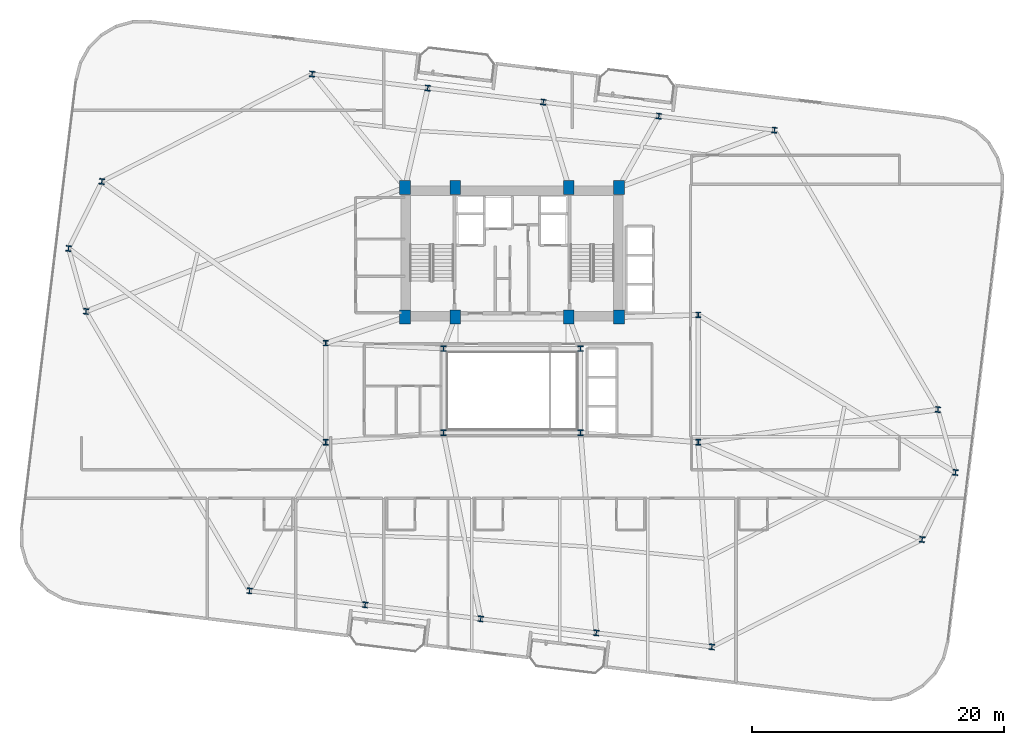
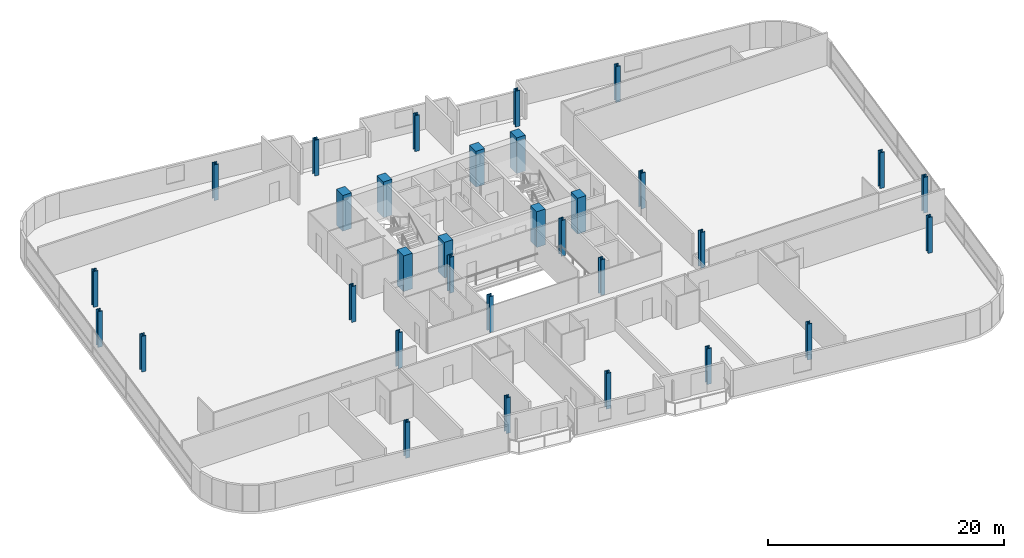
# One storey, part 1 of 26: 32 columns.
"""IFC4 building model written with IfcOpenShell, lengths in metres."""

from ifc_helpers import new_model, si_unit, direction, frame, origin, origin_2d, place, context, subcontext, project, spatial, rectangle, i_section, extrude, material, material_profile, profile_set, type_object, element, save


model = new_model("IFC4")

# Units and contexts
model_context = context("Model", 3, precision=1e-05, world=origin(), true_north=direction((0.0, 1.0)))
body_context = subcontext(model_context, "Body", "Model", "MODEL_VIEW")
ifc_project = project(units=[si_unit("LENGTHUNIT", "METRE"), si_unit("AREAUNIT", "SQUARE_METRE"), si_unit("VOLUMEUNIT", "CUBIC_METRE"), si_unit("PLANEANGLEUNIT", "RADIAN"), si_unit("MASSUNIT", "GRAM", prefix="KILO")], contexts=[model_context])

# Site, building, storey
site_placement = place(None, origin())
site = spatial("IfcSite", under=ifc_project, at=site_placement, CompositionType="ELEMENT")
building_placement = place(site_placement, origin())
building = spatial("IfcBuilding", under=site, at=building_placement, Name="Varnelok Gate Tower", CompositionType="ELEMENT")
storey_placement = place(building_placement, frame((0.0, 0.0, 158.699951171875)))
storey = spatial("IfcBuildingStorey", under=building, at=storey_placement, Name="L40", CompositionType="ELEMENT", Elevation=158.699951171875)

# Columns
ifc_material_1 = material(Name="Concrete C60/75", Category="concrete")
ifc_material_profile_1 = material_profile(ifc_material_1, rectangle(XDim=0.85009765625, YDim=1.10009765625, at=origin_2d()), Name="RC1100X850")
ifc_profile_set_1 = profile_set([ifc_material_profile_1], Name="Concrete C60/75")
column_type_1 = type_object("IfcColumnType", Name="COL-RC1100X850", PredefinedType="COLUMN", material=ifc_profile_set_1)
for number, where, z_axis, x_axis, name in (
    (1, (30.699951171875, 28.75, 0.0), (0.0, 0.0, 1.0), (1.0, 0.0, 0.0), "L40 Core Spine Column SC1"),
    (2, (34.679931640625, 28.75, 0.0), (0.0, 0.0, 1.0), (1.0, 0.0, 0.0), "L40 Core Spine Column SC2"),
    (3, (43.719970703125, 28.75, 0.0), (0.0, 0.0, 1.0), (1.0, 0.0, 0.0), "L40 Core Spine Column SC3"),
    (4, (47.699951171875, 28.75, 0.0), (0.0, 0.0, 1.0), (1.0, 0.0, 0.0), "L40 Core Spine Column SC4"),
    (5, (30.699951171875, 39.050048828125, 0.0), (0.0, 0.0, 1.0), (1.0, 0.0, 0.0), "L40 Core Spine Column SC5"),
    (6, (34.679931640625, 39.050048828125, 0.0), (0.0, 0.0, 1.0), (1.0, 0.0, 0.0), "L40 Core Spine Column SC6"),
    (7, (43.719970703125, 39.050048828125, 0.0), (0.0, 0.0, 1.0), (1.0, 0.0, 0.0), "L40 Core Spine Column SC7"),
    (8, (47.699951171875, 39.050048828125, 0.0), (0.0, 0.0, 1.0), (1.0, 0.0, 0.0), "L40 Core Spine Column SC8"),
):
    element("IfcColumn", number, at=place(storey_placement, frame(where, z_axis=z_axis, x_axis=x_axis)), inside=storey, type_object=column_type_1, Name=name, PredefinedType="COLUMN", context=body_context, shape_type="SweptSolid", body=[
        extrude(rectangle(XDim=0.85009765625, YDim=1.10009765625, at=origin_2d()), origin(), (0.0, 0.0, 1.0), 3.699951171875),
    ])
ifc_material_2 = material(Name="Structural Steel ASTM A992 Grade 50", Category="steel")
ifc_material_profile_2 = material_profile(ifc_material_2, i_section(OverallWidth=0.41796875, OverallDepth=0.455078125, WebThickness=0.0419921875, FlangeThickness=0.067626953125, FilletRadius=0.02490234375, at=origin_2d()), Name="W14X370")
ifc_profile_set_2 = profile_set([ifc_material_profile_2], Name="Structural Steel ASTM A992 Grade 50")
column_type_2 = type_object("IfcColumnType", Name="COL-W14X370", PredefinedType="COLUMN", material=ifc_profile_set_2)
for number, where, z_axis, x_axis, name in (
    (9, (33.75, 19.550048828125, 0.0), (0.0, 0.0, 1.0), (1.0, 0.0, 0.0), "L40 Atrium Spine Column AC1"),
    (10, (44.64990234375, 19.550048828125, 0.0), (0.0, 0.0, 1.0), (1.0, 0.0, 0.0), "L40 Atrium Spine Column AC2"),
    (11, (33.75, 26.25, 0.0), (0.0, 0.0, 1.0), (1.0, 0.0, 0.0), "L40 Atrium Spine Column AC3"),
    (12, (44.64990234375, 26.25, 0.0), (0.0, 0.0, 1.0), (1.0, 0.0, 0.0), "L40 Atrium Spine Column AC4"),
    (13, (24.39990234375, 18.800048828125, 0.0), (0.0, 0.0, 1.0), (1.0, 0.0, 0.0), "L40 Wing Spine Column WS1"),
    (14, (24.39990234375, 26.679931640625, 0.0), (0.0, 0.0, 1.0), (1.0, 0.0, 0.0), "L40 Wing Spine Column WS2"),
    (15, (54.0, 18.800048828125, 0.0), (0.0, 0.0, 1.0), (1.0, 0.0, 0.0), "L40 Wing Spine Column ES1"),
    (16, (54.0, 28.919921875, 0.0), (0.0, 0.0, 1.0), (1.0, 0.0, 0.0), "L40 Wing Spine Column ES2"),
    (17, (18.345703125, 6.99658203125, 0.0), (0.0, 0.0, 1.0), (0.992732158755, -0.12034475881, 0.0), "L40 B3 Perimeter Column PC01"),
    (18, (27.528564453125, 5.883544921875, 0.0), (0.0, 0.0, 1.0), (0.992732158755, -0.12034475881, 0.0), "L40 B3 Perimeter Column PC02"),
    (19, (36.711181640625, 4.770263671875, 0.0), (0.0, 0.0, 1.0), (0.992732158755, -0.12034475881, 0.0), "L40 B3 Perimeter Column PC03"),
    (20, (45.89404296875, 3.656982421875, 0.0), (0.0, 0.0, 1.0), (0.992732158755, -0.12034475881, 0.0), "L40 B3 Perimeter Column PC04"),
    (21, (55.076904296875, 2.5439453125, 0.0), (0.0, 0.0, 1.0), (0.992732158755, -0.12034475881, 0.0), "L40 B3 Perimeter Column PC05"),
    (22, (71.79296875, 11.07421875, 0.0), (0.0, 0.0, 1.0), (0.992732158755, -0.12034475881, 0.0), "L40 B3 Perimeter Column PC06"),
    (23, (74.435546875, 16.40478515625, 0.0), (0.0, 0.0, 1.0), (0.992732158755, -0.12034475881, 0.0), "L40 B3 Perimeter Column PC07"),
    (24, (73.04443359375, 21.398681640625, 0.0), (0.0, 0.0, 1.0), (0.992732158755, -0.12034475881, 0.0), "L40 B3 Perimeter Column PC08"),
    (25, (60.05419921875, 43.603271484375, 0.0), (0.0, 0.0, 1.0), (0.992732158755, -0.12034475881, 0.0), "L40 B3 Perimeter Column PC09"),
    (26, (50.87158203125, 44.716552734375, 0.0), (0.0, 0.0, 1.0), (0.992732158755, -0.12034475881, 0.0), "L40 B3 Perimeter Column PC10"),
    (27, (41.688720703125, 45.82958984375, 0.0), (0.0, 0.0, 1.0), (0.992732158755, -0.12034475881, 0.0), "L40 B3 Perimeter Column PC11"),
    (28, (32.506103515625, 46.94287109375, 0.0), (0.0, 0.0, 1.0), (0.992732158755, -0.12034475881, 0.0), "L40 B3 Perimeter Column PC12"),
    (29, (23.3232421875, 48.05615234375, 0.0), (0.0, 0.0, 1.0), (0.992732158755, -0.12034475881, 0.0), "L40 B3 Perimeter Column PC13"),
    (30, (6.607177734375, 39.52587890625, 0.0), (0.0, 0.0, 1.0), (0.992732158755, -0.12034475881, 0.0), "L40 B3 Perimeter Column PC14"),
    (31, (3.96435546875, 34.195068359375, 0.0), (0.0, 0.0, 1.0), (0.992732158755, -0.12034475881, 0.0), "L40 B3 Perimeter Column PC15"),
    (32, (5.35546875, 29.201416015625, 0.0), (0.0, 0.0, 1.0), (0.992732158755, -0.12034475881, 0.0), "L40 B3 Perimeter Column PC16"),
):
    element("IfcColumn", number, at=place(storey_placement, frame(where, z_axis=z_axis, x_axis=x_axis)), inside=storey, type_object=column_type_2, Name=name, PredefinedType="COLUMN", context=body_context, shape_type="SweptSolid", body=[
        extrude(i_section(OverallWidth=0.41796875, OverallDepth=0.455078125, WebThickness=0.0419921875, FlangeThickness=0.067626953125, FilletRadius=0.02490234375, at=origin_2d()), origin(), (0.0, 0.0, 1.0), 3.699951171875),
    ])

save(model, "model.ifc")
